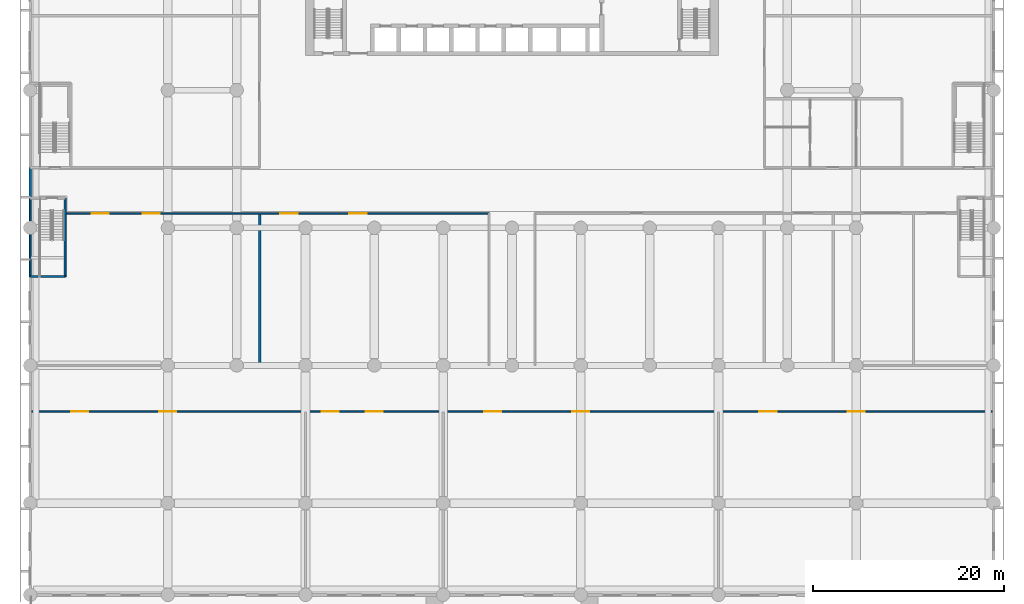
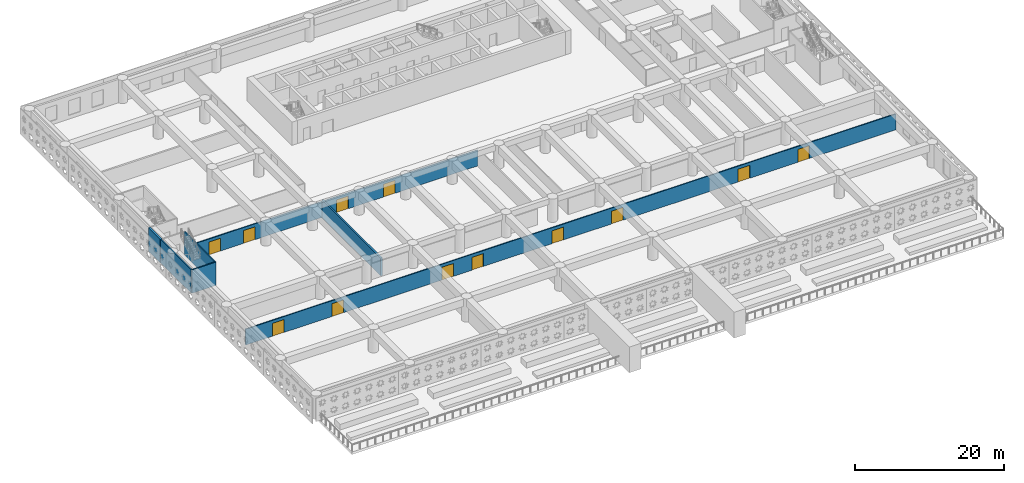
# One storey, part 4 of 24: 12 doors, 7 walls, 12 openings.
"""IFC4 building model written with IfcOpenShell, lengths in metres."""

from ifc_helpers import new_model, si_unit, direction, frame, frame_2d, origin, place, context, subcontext, project, spatial, rectangle, extrude, material, layer, layer_set, type_object, element, fill, save


model = new_model("IFC4")

# Units and contexts
model_context = context("Model", 3, precision=1e-05, world=origin(), true_north=direction((0.0, 1.0)))
body_context = subcontext(model_context, "Body", "Model", "MODEL_VIEW")
ifc_project = project(units=[si_unit("LENGTHUNIT", "METRE"), si_unit("AREAUNIT", "SQUARE_METRE"), si_unit("VOLUMEUNIT", "CUBIC_METRE"), si_unit("PLANEANGLEUNIT", "RADIAN"), si_unit("MASSUNIT", "GRAM", prefix="KILO")], contexts=[model_context])

# Site, building, storey
site_placement = place(None, origin())
site = spatial("IfcSite", under=ifc_project, at=site_placement, CompositionType="ELEMENT")
building_placement = place(site_placement, origin())
building = spatial("IfcBuilding", under=site, at=building_placement, Name="Saffron Iwan Residences", CompositionType="ELEMENT")
storey_placement = place(building_placement, frame((0.0, 0.0, 13.199951171875)))
storey = spatial("IfcBuildingStorey", under=building, at=storey_placement, Name="L02", CompositionType="ELEMENT", Elevation=13.199951171875)

# Wall, openings, doors
ifc_material_1 = material(Name="Concrete blockwork", Category="masonry")
ifc_layer_1 = layer(ifc_material_1, 0.14990234375)
ifc_layer_set_1 = layer_set([ifc_layer_1], Name="Concrete blockwork")
wall_type_1 = type_object("IfcWallType", Name="Blockwork partition 150", PredefinedType="PARTITIONING", material=ifc_layer_set_1)
wall_1_placement = place(storey_placement, frame((0.14990234375, 28.800048828125, 0.0), z_axis=(0.0, 0.0, 1.0), x_axis=(1.0, 0.0, 0.0)))
wall_1 = element("IfcWall", 1, at=wall_1_placement, inside=storey, type_object=wall_type_1, Name="W-L02-002", PredefinedType="PARTITIONING", context=body_context, shape_type="SweptSolid", body=[
    extrude(rectangle(XDim=100.5, YDim=0.14990234375, at=frame_2d((50.25, 0.0))), origin(), (0.0, 0.0, 1.0), 2.60009765625),
])
opening_1_placement = place(wall_1_placement, frame((13.35009765625, 0.0, 0.0)))
opening_1 = element("IfcOpeningElement", 2, at=opening_1_placement, cuts=wall_1, Name="Opening L02.01", PredefinedType="OPENING", context=body_context, shape_type="SweptSolid", body=[
    extrude(rectangle(XDim=1.800048828125, YDim=2.10009765625, at=frame_2d((0.89990234375, 1.050048828125))), frame((0.0, 0.0849609375, 0.0), z_axis=(0.0, -1.0, 0.0), x_axis=(1.0, 0.0, 0.0)), (0.0, 0.0, 1.0), 0.169921875),
])
opening_2_placement = place(wall_1_placement, frame((4.134033203125, 0.0, 0.0)))
opening_2 = element("IfcOpeningElement", 3, at=opening_2_placement, cuts=wall_1, Name="Opening L02.02", PredefinedType="OPENING", context=body_context, shape_type="SweptSolid", body=[
    extrude(rectangle(XDim=1.800048828125, YDim=2.10009765625, at=frame_2d((0.89990234375, 1.050048828125))), frame((0.0, 0.0849609375, 0.0), z_axis=(0.0, -1.0, 0.0), x_axis=(1.0, 0.0, 0.0)), (0.0, 0.0, 1.0), 0.169921875),
])
opening_3_placement = place(wall_1_placement, frame((34.949951171875, 0.0, 0.0)))
opening_3 = element("IfcOpeningElement", 4, at=opening_3_placement, cuts=wall_1, Name="Opening L02.03", PredefinedType="OPENING", context=body_context, shape_type="SweptSolid", body=[
    extrude(rectangle(XDim=1.800048828125, YDim=2.10009765625, at=frame_2d((0.89990234375, 1.050048828125))), frame((0.0, 0.0849609375, 0.0), z_axis=(0.0, -1.0, 0.0), x_axis=(1.0, 0.0, 0.0)), (0.0, 0.0, 1.0), 0.169921875),
])
opening_4_placement = place(wall_1_placement, frame((30.342041015625, 0.0, 0.0)))
opening_4 = element("IfcOpeningElement", 5, at=opening_4_placement, cuts=wall_1, Name="Opening L02.04", PredefinedType="OPENING", context=body_context, shape_type="SweptSolid", body=[
    extrude(rectangle(XDim=1.800048828125, YDim=2.10009765625, at=frame_2d((0.89990234375, 1.050048828125))), frame((0.0, 0.0849609375, 0.0), z_axis=(0.0, -1.0, 0.0), x_axis=(1.0, 0.0, 0.0)), (0.0, 0.0, 1.0), 0.169921875),
])
opening_5_placement = place(wall_1_placement, frame((56.550048828125, 0.0, 0.0)))
opening_5 = element("IfcOpeningElement", 6, at=opening_5_placement, cuts=wall_1, Name="Opening L02.05", PredefinedType="OPENING", context=body_context, shape_type="SweptSolid", body=[
    extrude(rectangle(XDim=1.800048828125, YDim=2.10009765625, at=frame_2d((0.89990234375, 1.050048828125))), frame((0.0, 0.0849609375, 0.0), z_axis=(0.0, -1.0, 0.0), x_axis=(1.0, 0.0, 0.0)), (0.0, 0.0, 1.0), 0.169921875),
])
opening_6_placement = place(wall_1_placement, frame((47.333984375, 0.0, 0.0)))
opening_6 = element("IfcOpeningElement", 7, at=opening_6_placement, cuts=wall_1, Name="Opening L02.06", PredefinedType="OPENING", context=body_context, shape_type="SweptSolid", body=[
    extrude(rectangle(XDim=1.800048828125, YDim=2.10009765625, at=frame_2d((0.89990234375, 1.050048828125))), frame((0.0, 0.0849609375, 0.0), z_axis=(0.0, -1.0, 0.0), x_axis=(1.0, 0.0, 0.0)), (0.0, 0.0, 1.0), 0.169921875),
])
opening_7_placement = place(wall_1_placement, frame((85.35009765625, 0.0, 0.0)))
opening_7 = element("IfcOpeningElement", 8, at=opening_7_placement, cuts=wall_1, Name="Opening L02.07", PredefinedType="OPENING", context=body_context, shape_type="SweptSolid", body=[
    extrude(rectangle(XDim=1.800048828125, YDim=2.10009765625, at=frame_2d((0.89990234375, 1.050048828125))), frame((0.0, 0.0849609375, 0.0), z_axis=(0.0, -1.0, 0.0), x_axis=(1.0, 0.0, 0.0)), (0.0, 0.0, 1.0), 0.169921875),
])
opening_8_placement = place(wall_1_placement, frame((76.134033203125, 0.0, 0.0)))
opening_8 = element("IfcOpeningElement", 9, at=opening_8_placement, cuts=wall_1, Name="Opening L02.08", PredefinedType="OPENING", context=body_context, shape_type="SweptSolid", body=[
    extrude(rectangle(XDim=1.800048828125, YDim=2.10009765625, at=frame_2d((0.89990234375, 1.050048828125))), frame((0.0, 0.0849609375, 0.0), z_axis=(0.0, -1.0, 0.0), x_axis=(1.0, 0.0, 0.0)), (0.0, 0.0, 1.0), 0.169921875),
])
ifc_material_2 = material(Name="Timber", Category="wood")
door_type = type_object("IfcDoorType", Name="Door 1800x2100", OperationType="DOUBLE_DOOR_SINGLE_SWING", PredefinedType="DOOR", material=ifc_material_2)
door_1_placement = place(opening_1_placement, origin())
door_1 = element("IfcDoor", 10, at=door_1_placement, inside=storey, type_object=door_type, Name="D-L02-001", OperationType="DOUBLE_DOOR_SINGLE_SWING", OverallHeight=2.10009765625, OverallWidth=1.800048828125, PredefinedType="DOOR", context=body_context, shape_type="SweptSolid", body=[
    extrude(rectangle(XDim=1.800048828125, YDim=2.10009765625, at=frame_2d((0.89990234375, 1.050048828125))), frame((0.0, 0.02490234375, 0.0), z_axis=(0.0, -1.0, 0.0), x_axis=(1.0, 0.0, 0.0)), (0.0, 0.0, 1.0), 0.050048828125),
])
fill(opening_1, door_1)
door_2_placement = place(opening_2_placement, origin())
door_2 = element("IfcDoor", 11, at=door_2_placement, inside=storey, type_object=door_type, Name="D-L02-002", OperationType="DOUBLE_DOOR_SINGLE_SWING", OverallHeight=2.10009765625, OverallWidth=1.800048828125, PredefinedType="DOOR", context=body_context, shape_type="SweptSolid", body=[
    extrude(rectangle(XDim=1.800048828125, YDim=2.10009765625, at=frame_2d((0.89990234375, 1.050048828125))), frame((0.0, 0.02490234375, 0.0), z_axis=(0.0, -1.0, 0.0), x_axis=(1.0, 0.0, 0.0)), (0.0, 0.0, 1.0), 0.050048828125),
])
fill(opening_2, door_2)
door_3_placement = place(opening_3_placement, origin())
door_3 = element("IfcDoor", 12, at=door_3_placement, inside=storey, type_object=door_type, Name="D-L02-003", OperationType="DOUBLE_DOOR_SINGLE_SWING", OverallHeight=2.10009765625, OverallWidth=1.800048828125, PredefinedType="DOOR", context=body_context, shape_type="SweptSolid", body=[
    extrude(rectangle(XDim=1.800048828125, YDim=2.10009765625, at=frame_2d((0.89990234375, 1.050048828125))), frame((0.0, 0.02490234375, 0.0), z_axis=(0.0, -1.0, 0.0), x_axis=(1.0, 0.0, 0.0)), (0.0, 0.0, 1.0), 0.050048828125),
])
fill(opening_3, door_3)
door_4_placement = place(opening_4_placement, origin())
door_4 = element("IfcDoor", 13, at=door_4_placement, inside=storey, type_object=door_type, Name="D-L02-004", OperationType="DOUBLE_DOOR_SINGLE_SWING", OverallHeight=2.10009765625, OverallWidth=1.800048828125, PredefinedType="DOOR", context=body_context, shape_type="SweptSolid", body=[
    extrude(rectangle(XDim=1.800048828125, YDim=2.10009765625, at=frame_2d((0.89990234375, 1.050048828125))), frame((0.0, 0.02490234375, 0.0), z_axis=(0.0, -1.0, 0.0), x_axis=(1.0, 0.0, 0.0)), (0.0, 0.0, 1.0), 0.050048828125),
])
fill(opening_4, door_4)
door_5_placement = place(opening_5_placement, origin())
door_5 = element("IfcDoor", 14, at=door_5_placement, inside=storey, type_object=door_type, Name="D-L02-005", OperationType="DOUBLE_DOOR_SINGLE_SWING", OverallHeight=2.10009765625, OverallWidth=1.800048828125, PredefinedType="DOOR", context=body_context, shape_type="SweptSolid", body=[
    extrude(rectangle(XDim=1.800048828125, YDim=2.10009765625, at=frame_2d((0.89990234375, 1.050048828125))), frame((0.0, 0.02490234375, 0.0), z_axis=(0.0, -1.0, 0.0), x_axis=(1.0, 0.0, 0.0)), (0.0, 0.0, 1.0), 0.050048828125),
])
fill(opening_5, door_5)
door_6_placement = place(opening_6_placement, origin())
door_6 = element("IfcDoor", 15, at=door_6_placement, inside=storey, type_object=door_type, Name="D-L02-006", OperationType="DOUBLE_DOOR_SINGLE_SWING", OverallHeight=2.10009765625, OverallWidth=1.800048828125, PredefinedType="DOOR", context=body_context, shape_type="SweptSolid", body=[
    extrude(rectangle(XDim=1.800048828125, YDim=2.10009765625, at=frame_2d((0.89990234375, 1.050048828125))), frame((0.0, 0.02490234375, 0.0), z_axis=(0.0, -1.0, 0.0), x_axis=(1.0, 0.0, 0.0)), (0.0, 0.0, 1.0), 0.050048828125),
])
fill(opening_6, door_6)
door_7_placement = place(opening_7_placement, origin())
door_7 = element("IfcDoor", 16, at=door_7_placement, inside=storey, type_object=door_type, Name="D-L02-007", OperationType="DOUBLE_DOOR_SINGLE_SWING", OverallHeight=2.10009765625, OverallWidth=1.800048828125, PredefinedType="DOOR", context=body_context, shape_type="SweptSolid", body=[
    extrude(rectangle(XDim=1.800048828125, YDim=2.10009765625, at=frame_2d((0.89990234375, 1.050048828125))), frame((0.0, 0.02490234375, 0.0), z_axis=(0.0, -1.0, 0.0), x_axis=(1.0, 0.0, 0.0)), (0.0, 0.0, 1.0), 0.050048828125),
])
fill(opening_7, door_7)
door_8_placement = place(opening_8_placement, origin())
door_8 = element("IfcDoor", 17, at=door_8_placement, inside=storey, type_object=door_type, Name="D-L02-008", OperationType="DOUBLE_DOOR_SINGLE_SWING", OverallHeight=2.10009765625, OverallWidth=1.800048828125, PredefinedType="DOOR", context=body_context, shape_type="SweptSolid", body=[
    extrude(rectangle(XDim=1.800048828125, YDim=2.10009765625, at=frame_2d((0.89990234375, 1.050048828125))), frame((0.0, 0.02490234375, 0.0), z_axis=(0.0, -1.0, 0.0), x_axis=(1.0, 0.0, 0.0)), (0.0, 0.0, 1.0), 0.050048828125),
])
fill(opening_8, door_8)

wall_2_placement = place(storey_placement, frame((3.75, 49.5, 0.0), z_axis=(0.0, 0.0, 1.0), x_axis=(1.0, 0.0, 0.0)))
wall_2 = element("IfcWall", 18, at=wall_2_placement, inside=storey, type_object=wall_type_1, Name="W-L02-007", PredefinedType="PARTITIONING", context=body_context, shape_type="SweptSolid", body=[
    extrude(rectangle(XDim=44.25, YDim=0.14990234375, at=frame_2d((22.125, 0.0))), origin(), (0.0, 0.0, 1.0), 2.60009765625),
])
opening_9_placement = place(wall_2_placement, frame((8.02490234375, 0.0, 0.0)))
opening_9 = element("IfcOpeningElement", 19, at=opening_9_placement, cuts=wall_2, Name="Opening L02.09", PredefinedType="OPENING", context=body_context, shape_type="SweptSolid", body=[
    extrude(rectangle(XDim=1.800048828125, YDim=2.10009765625, at=frame_2d((0.89990234375, 1.050048828125))), frame((0.0, 0.0849609375, 0.0), z_axis=(0.0, -1.0, 0.0), x_axis=(1.0, 0.0, 0.0)), (0.0, 0.0, 1.0), 0.169921875),
])
opening_10_placement = place(wall_2_placement, frame((2.6630859375, 0.0, 0.0)))
opening_10 = element("IfcOpeningElement", 20, at=opening_10_placement, cuts=wall_2, Name="Opening L02.10", PredefinedType="OPENING", context=body_context, shape_type="SweptSolid", body=[
    extrude(rectangle(XDim=1.800048828125, YDim=2.10009765625, at=frame_2d((0.89990234375, 1.050048828125))), frame((0.0, 0.0849609375, 0.0), z_axis=(0.0, -1.0, 0.0), x_axis=(1.0, 0.0, 0.0)), (0.0, 0.0, 1.0), 0.169921875),
])
opening_11_placement = place(wall_2_placement, frame((29.64990234375, 0.0, 0.0)))
opening_11 = element("IfcOpeningElement", 21, at=opening_11_placement, cuts=wall_2, Name="Opening L02.11", PredefinedType="OPENING", context=body_context, shape_type="SweptSolid", body=[
    extrude(rectangle(XDim=1.800048828125, YDim=2.10009765625, at=frame_2d((0.89990234375, 1.050048828125))), frame((0.0, 0.0849609375, 0.0), z_axis=(0.0, -1.0, 0.0), x_axis=(1.0, 0.0, 0.0)), (0.0, 0.0, 1.0), 0.169921875),
])
opening_12_placement = place(wall_2_placement, frame((22.419921875, 0.0, 0.0)))
opening_12 = element("IfcOpeningElement", 22, at=opening_12_placement, cuts=wall_2, Name="Opening L02.12", PredefinedType="OPENING", context=body_context, shape_type="SweptSolid", body=[
    extrude(rectangle(XDim=1.800048828125, YDim=2.10009765625, at=frame_2d((0.89990234375, 1.050048828125))), frame((0.0, 0.0849609375, 0.0), z_axis=(0.0, -1.0, 0.0), x_axis=(1.0, 0.0, 0.0)), (0.0, 0.0, 1.0), 0.169921875),
])
door_9_placement = place(opening_9_placement, origin())
door_9 = element("IfcDoor", 23, at=door_9_placement, inside=storey, type_object=door_type, Name="D-L02-009", OperationType="DOUBLE_DOOR_SINGLE_SWING", OverallHeight=2.10009765625, OverallWidth=1.800048828125, PredefinedType="DOOR", context=body_context, shape_type="SweptSolid", body=[
    extrude(rectangle(XDim=1.800048828125, YDim=2.10009765625, at=frame_2d((0.89990234375, 1.050048828125))), frame((0.0, 0.02490234375, 0.0), z_axis=(0.0, -1.0, 0.0), x_axis=(1.0, 0.0, 0.0)), (0.0, 0.0, 1.0), 0.050048828125),
])
fill(opening_9, door_9)
door_10_placement = place(opening_10_placement, origin())
door_10 = element("IfcDoor", 24, at=door_10_placement, inside=storey, type_object=door_type, Name="D-L02-010", OperationType="DOUBLE_DOOR_SINGLE_SWING", OverallHeight=2.10009765625, OverallWidth=1.800048828125, PredefinedType="DOOR", context=body_context, shape_type="SweptSolid", body=[
    extrude(rectangle(XDim=1.800048828125, YDim=2.10009765625, at=frame_2d((0.89990234375, 1.050048828125))), frame((0.0, 0.02490234375, 0.0), z_axis=(0.0, -1.0, 0.0), x_axis=(1.0, 0.0, 0.0)), (0.0, 0.0, 1.0), 0.050048828125),
])
fill(opening_10, door_10)
door_11_placement = place(opening_11_placement, origin())
door_11 = element("IfcDoor", 25, at=door_11_placement, inside=storey, type_object=door_type, Name="D-L02-011", OperationType="DOUBLE_DOOR_SINGLE_SWING", OverallHeight=2.10009765625, OverallWidth=1.800048828125, PredefinedType="DOOR", context=body_context, shape_type="SweptSolid", body=[
    extrude(rectangle(XDim=1.800048828125, YDim=2.10009765625, at=frame_2d((0.89990234375, 1.050048828125))), frame((0.0, 0.02490234375, 0.0), z_axis=(0.0, -1.0, 0.0), x_axis=(1.0, 0.0, 0.0)), (0.0, 0.0, 1.0), 0.050048828125),
])
fill(opening_11, door_11)
door_12_placement = place(opening_12_placement, origin())
door_12 = element("IfcDoor", 26, at=door_12_placement, inside=storey, type_object=door_type, Name="D-L02-012", OperationType="DOUBLE_DOOR_SINGLE_SWING", OverallHeight=2.10009765625, OverallWidth=1.800048828125, PredefinedType="DOOR", context=body_context, shape_type="SweptSolid", body=[
    extrude(rectangle(XDim=1.800048828125, YDim=2.10009765625, at=frame_2d((0.89990234375, 1.050048828125))), frame((0.0, 0.02490234375, 0.0), z_axis=(0.0, -1.0, 0.0), x_axis=(1.0, 0.0, 0.0)), (0.0, 0.0, 1.0), 0.050048828125),
])
fill(opening_12, door_12)

# Walls
ifc_material_3 = material(Name="Concrete C40/50", Category="concrete")
ifc_layer_2 = layer(ifc_material_3, 0.25)
ifc_layer_set_2 = layer_set([ifc_layer_2], Name="Concrete C40/50")
wall_type_2 = type_object("IfcWallType", Name="Fire compartment wall 250", PredefinedType="SOLIDWALL", material=ifc_layer_set_2)
wall_3_placement = place(storey_placement, frame((24.0, 33.675048828125, 0.0), z_axis=(0.0, 0.0, 1.0), x_axis=(0.0, 1.0, 0.0)))
element("IfcWall", 27, at=wall_3_placement, inside=storey, type_object=wall_type_2, Name="W-L02-030", PredefinedType="SOLIDWALL", context=body_context, shape_type="SweptSolid", body=[
    extrude(rectangle(XDim=15.75, YDim=0.25, at=frame_2d((7.875, 0.0))), origin(), (0.0, 0.0, 1.0), 2.900146484375),
])
ifc_material_4 = material(Name="Precast concrete C40/50", Category="concrete")
ifc_layer_3 = layer(ifc_material_4, 0.300048828125)
ifc_layer_set_3 = layer_set([ifc_layer_3], Name="Precast concrete C40/50")
wall_type_3 = type_object("IfcWallType", Name="Podium external wall 300", PredefinedType="SOLIDWALL", material=ifc_layer_set_3)
wall_4_placement = place(storey_placement, frame((0.0, 51.10009765625, 0.0), z_axis=(0.0, 0.0, 1.0), x_axis=(0.0, 1.0, 0.0)))
element("IfcWall", 28, at=wall_4_placement, inside=storey, type_object=wall_type_3, Name="W-L02-023", PredefinedType="SOLIDWALL", context=body_context, shape_type="SweptSolid", body=[
    extrude(rectangle(XDim=3.199951171875, YDim=0.300048828125, at=frame_2d((1.60009765625, 0.0))), origin(), (0.0, 0.0, 1.0), 3.800048828125),
])
ifc_layer_4 = layer(ifc_material_3, 0.199951171875)
ifc_layer_set_4 = layer_set([ifc_layer_4], Name="Concrete C40/50")
wall_type_4 = type_object("IfcWallType", Name="Reinforced concrete stair wall 200", PredefinedType="SOLIDWALL", material=ifc_layer_set_4)
wall_5_placement = place(storey_placement, frame((0.0, 42.89990234375, 0.0), z_axis=(0.0, 0.0, 1.0), x_axis=(1.0, 0.0, 0.0)))
element("IfcWall", 29, at=wall_5_placement, inside=storey, type_object=wall_type_4, Name="W-L02-005", PredefinedType="SOLIDWALL", context=body_context, shape_type="SweptSolid", body=[
    extrude(rectangle(XDim=3.64990234375, YDim=0.199951171875, at=frame_2d((1.824951171875, 0.0))), origin(), (0.0, 0.0, 1.0), 3.800048828125),
])
for number, where, z_axis, x_axis, name in (
    (30, (0.0, 42.89990234375, 0.0), (0.0, 0.0, 1.0), (0.0, 1.0, 0.0), "W-L02-025"),
    (31, (3.64990234375, 42.89990234375, 0.0), (0.0, 0.0, 1.0), (0.0, 1.0, 0.0), "W-L02-027"),
):
    element("IfcWall", number, at=place(storey_placement, frame(where, z_axis=z_axis, x_axis=x_axis)), inside=storey, type_object=wall_type_4, Name=name, PredefinedType="SOLIDWALL", context=body_context, shape_type="SweptSolid", body=[
        extrude(rectangle(XDim=8.2001953125, YDim=0.199951171875, at=frame_2d((4.10009765625, 0.0))), origin(), (0.0, 0.0, 1.0), 3.800048828125),
    ])

save(model, "model.ifc")
